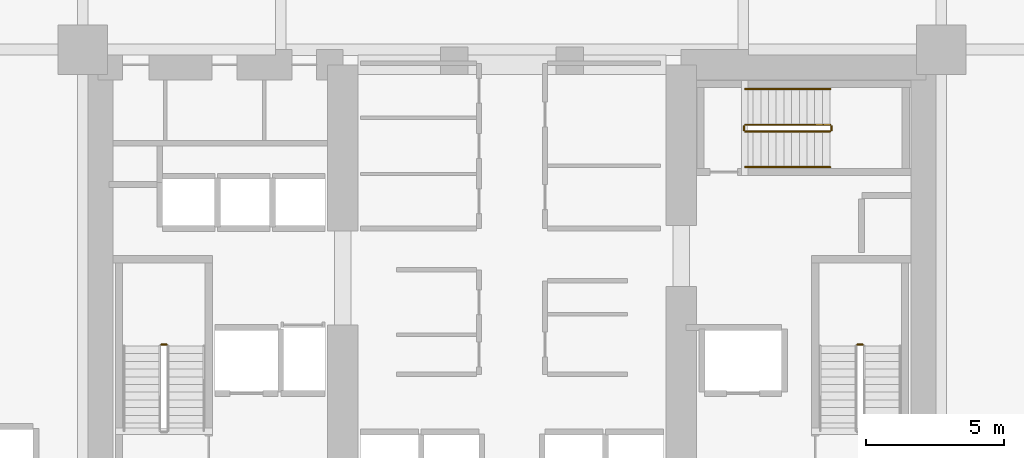
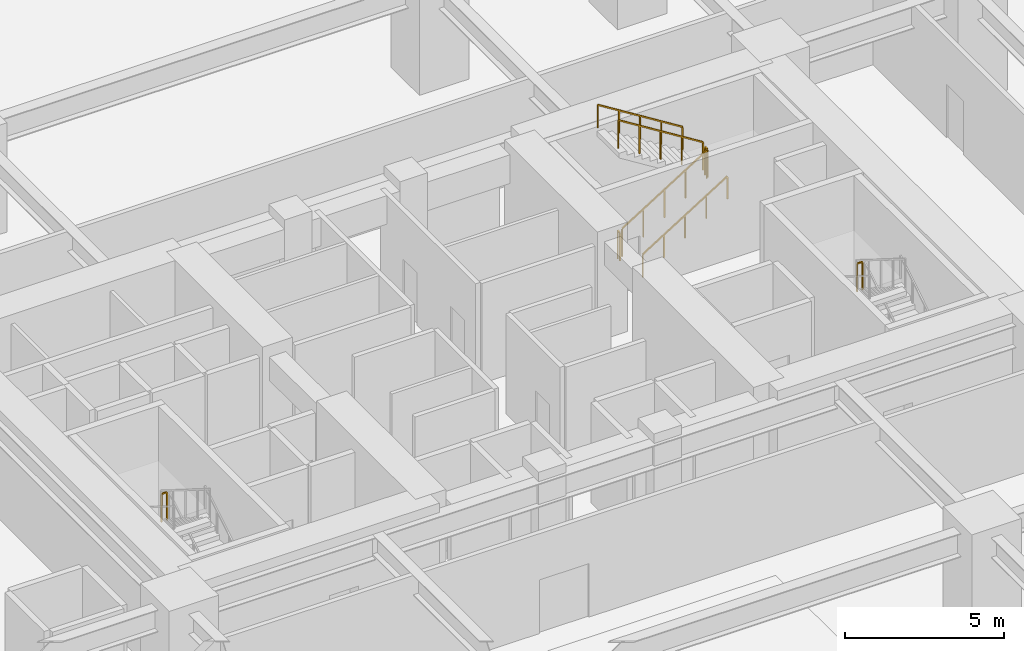
# One storey, part 19 of 22: 8 railings.
"""IFC4 building model written with IfcOpenShell, lengths in metres."""

from ifc_helpers import new_model, si_unit, direction, frame, origin, origin_2d, place, context, subcontext, project, spatial, rectangle, extrude, material, type_object, element, save


model = new_model("IFC4")

# Units and contexts
model_context = context("Model", 3, precision=1e-05, world=origin(), true_north=direction((0.0, 1.0)))
body_context = subcontext(model_context, "Body", "Model", "MODEL_VIEW")
ifc_project = project(units=[si_unit("LENGTHUNIT", "METRE"), si_unit("AREAUNIT", "SQUARE_METRE"), si_unit("VOLUMEUNIT", "CUBIC_METRE"), si_unit("PLANEANGLEUNIT", "RADIAN"), si_unit("MASSUNIT", "GRAM", prefix="KILO")], contexts=[model_context])

# Site, building, storey
site_placement = place(None, origin())
site = spatial("IfcSite", under=ifc_project, at=site_placement, CompositionType="ELEMENT")
building_placement = place(site_placement, origin())
building = spatial("IfcBuilding", under=site, at=building_placement, Name="Kiyonajd Concourse Tower", CompositionType="ELEMENT")
storey_placement = place(building_placement, frame((0.0, 0.0, 12.89990234375)))
storey = spatial("IfcBuildingStorey", under=building, at=storey_placement, Name="L04", CompositionType="ELEMENT", Elevation=12.89990234375)

# Railings
ifc_material_1 = material(Name="Steel ASTM A500 Grade C", Category="steel")
railing_type_1 = type_object("IfcRailingType", Name="RL-GRD-STR", PredefinedType="GUARDRAIL", material=ifc_material_1)
for number, where, name in (
    (1, (35.449951171875, 33.679931640625, 2.10009765625), "L04 ST1 stair guard 2"),
    (2, (60.75, 33.679931640625, 2.10009765625), "L04 ST2 stair guard 2"),
):
    element("IfcRailing", number, at=place(storey_placement, frame(where)), inside=storey, type_object=railing_type_1, Name=name, PredefinedType="GUARDRAIL", context=body_context, shape_type="SweptSolid", body=[
        extrude(rectangle(XDim=0.048095703125, YDim=0.048095703125, at=origin_2d()), frame((0.0, 0.0, 1.076171875), z_axis=(-1.0, 0.0, 0.0), x_axis=(0.0, -1.0, 0.0)), (0.0, 0.0, 1.0), 0.199951171875),
        extrude(rectangle(XDim=0.0419921875, YDim=0.0419921875, at=origin_2d()), origin(), (0.0, 0.0, 1.0), 1.052001953125),
        extrude(rectangle(XDim=0.0419921875, YDim=0.0419921875, at=origin_2d()), frame((-0.199951171875, 0.0, 0.0)), (0.0, 0.0, 1.0), 1.052001953125),
    ])
railing_1_placement = place(storey_placement, frame((56.47998046875, 41.429931640625, 0.175048828125)))
element("IfcRailing", 3, at=railing_1_placement, inside=storey, type_object=railing_type_1, Name="L04 ST3 stair guard 1", PredefinedType="GUARDRAIL", context=body_context, shape_type="SweptSolid", body=[
    extrude(rectangle(XDim=0.048095703125, YDim=0.048095703125, at=origin_2d()), frame((0.0, 0.0, 1.076171875), z_axis=(0.847998304005, 0.0, 0.529998940003), x_axis=(0.0, 1.0, 0.0)), (0.0, 0.0, 1.0), 3.632080078125),
    extrude(rectangle(XDim=0.0419921875, YDim=0.0419921875, at=origin_2d()), origin(), (0.0, 0.0, 1.0), 1.052001953125),
    extrude(rectangle(XDim=0.0419921875, YDim=0.0419921875, at=origin_2d()), frame((0.77001953125, 0.0, 0.481201171875)), (0.0, 0.0, 1.0), 1.052001953125),
    extrude(rectangle(XDim=0.0419921875, YDim=0.0419921875, at=origin_2d()), frame((1.5400390625, 0.0, 0.96240234375)), (0.0, 0.0, 1.0), 1.052001953125),
    extrude(rectangle(XDim=0.0419921875, YDim=0.0419921875, at=origin_2d()), frame((2.31005859375, 0.0, 1.44384765625)), (0.0, 0.0, 1.0), 1.052001953125),
    extrude(rectangle(XDim=0.0419921875, YDim=0.0419921875, at=origin_2d()), frame((3.080078125, 0.0, 1.925048828125)), (0.0, 0.0, 1.0), 1.052001953125),
])
railing_2_placement = place(storey_placement, frame((59.610107421875, 41.47998046875, 2.10009765625)))
element("IfcRailing", 4, at=railing_2_placement, inside=storey, type_object=railing_type_1, Name="L04 ST3 stair guard 2", PredefinedType="GUARDRAIL", context=body_context, shape_type="SweptSolid", body=[
    extrude(rectangle(XDim=0.048095703125, YDim=0.048095703125, at=origin_2d()), frame((0.0, 0.0, 1.076171875), z_axis=(0.0, 1.0, 0.0), x_axis=(-1.0, 0.0, 0.0)), (0.0, 0.0, 1.0), 0.14013671875),
    extrude(rectangle(XDim=0.0419921875, YDim=0.0419921875, at=origin_2d()), origin(), (0.0, 0.0, 1.0), 1.052001953125),
    extrude(rectangle(XDim=0.0419921875, YDim=0.0419921875, at=origin_2d()), frame((0.0, 0.14013671875, 0.0)), (0.0, 0.0, 1.0), 1.052001953125),
])
railing_3_placement = place(storey_placement, frame((59.56005859375, 41.669921875, 2.275146484375)))
element("IfcRailing", 5, at=railing_3_placement, inside=storey, type_object=railing_type_1, Name="L04 ST3 stair guard 3", PredefinedType="GUARDRAIL", context=body_context, shape_type="SweptSolid", body=[
    extrude(rectangle(XDim=0.048095703125, YDim=0.048095703125, at=origin_2d()), frame((0.0, 0.0, 1.076171875), z_axis=(-0.847998304005, 0.0, 0.529998940003), x_axis=(0.0, -1.0, 0.0)), (0.0, 0.0, 1.0), 3.632080078125),
    extrude(rectangle(XDim=0.0419921875, YDim=0.0419921875, at=origin_2d()), origin(), (0.0, 0.0, 1.0), 1.052001953125),
    extrude(rectangle(XDim=0.0419921875, YDim=0.0419921875, at=origin_2d()), frame((-0.77001953125, 0.0, 0.481201171875)), (0.0, 0.0, 1.0), 1.052001953125),
    extrude(rectangle(XDim=0.0419921875, YDim=0.0419921875, at=origin_2d()), frame((-1.5400390625, 0.0, 0.96240234375)), (0.0, 0.0, 1.0), 1.052001953125),
    extrude(rectangle(XDim=0.0419921875, YDim=0.0419921875, at=origin_2d()), frame((-2.31005859375, 0.0, 1.44384765625)), (0.0, 0.0, 1.0), 1.052001953125),
    extrude(rectangle(XDim=0.0419921875, YDim=0.0419921875, at=origin_2d()), frame((-3.080078125, 0.0, 1.925048828125)), (0.0, 0.0, 1.0), 1.052001953125),
])
railing_4_placement = place(storey_placement, frame((56.429931640625, 41.47998046875, 0.0)))
element("IfcRailing", 6, at=railing_4_placement, inside=storey, type_object=railing_type_1, Name="L04 ST3 stair guard 4", PredefinedType="GUARDRAIL", context=body_context, shape_type="SweptSolid", body=[
    extrude(rectangle(XDim=0.048095703125, YDim=0.048095703125, at=origin_2d()), frame((0.0, 0.0, 1.076171875), z_axis=(0.0, 1.0, 0.0), x_axis=(-1.0, 0.0, 0.0)), (0.0, 0.0, 1.0), 0.14013671875),
    extrude(rectangle(XDim=0.0419921875, YDim=0.0419921875, at=origin_2d()), origin(), (0.0, 0.0, 1.0), 1.052001953125),
    extrude(rectangle(XDim=0.0419921875, YDim=0.0419921875, at=origin_2d()), frame((0.0, 0.14013671875, 0.0)), (0.0, 0.0, 1.0), 1.052001953125),
])
ifc_material_2 = material(Name="Brushed Stainless Steel Cab Assembly", Category="steel")
railing_type_2 = type_object("IfcRailingType", Name="RL-HND-900", PredefinedType="HANDRAIL", material=ifc_material_2)
railing_5_placement = place(storey_placement, frame((56.47998046875, 40.1298828125, 0.175048828125)))
element("IfcRailing", 7, at=railing_5_placement, inside=storey, type_object=railing_type_2, Name="L04 ST3 stair handrail 1", PredefinedType="HANDRAIL", context=body_context, shape_type="SweptSolid", body=[
    extrude(rectangle(XDim=0.048095703125, YDim=0.048095703125, at=origin_2d()), frame((0.0, 0.0, 0.8759765625), z_axis=(0.847998304005, 0.0, 0.529998940003), x_axis=(0.0, 1.0, 0.0)), (0.0, 0.0, 1.0), 3.632080078125),
    extrude(rectangle(XDim=0.0419921875, YDim=0.0419921875, at=origin_2d()), origin(), (0.0, 0.0, 1.0), 0.851806640625),
    extrude(rectangle(XDim=0.0419921875, YDim=0.0419921875, at=origin_2d()), frame((0.77001953125, 0.0, 0.481201171875)), (0.0, 0.0, 1.0), 0.851806640625),
    extrude(rectangle(XDim=0.0419921875, YDim=0.0419921875, at=origin_2d()), frame((1.5400390625, 0.0, 0.96240234375)), (0.0, 0.0, 1.0), 0.851806640625),
    extrude(rectangle(XDim=0.0419921875, YDim=0.0419921875, at=origin_2d()), frame((2.31005859375, 0.0, 1.44384765625)), (0.0, 0.0, 1.0), 0.851806640625),
    extrude(rectangle(XDim=0.0419921875, YDim=0.0419921875, at=origin_2d()), frame((3.080078125, 0.0, 1.925048828125)), (0.0, 0.0, 1.0), 0.851806640625),
])
railing_6_placement = place(storey_placement, frame((59.56005859375, 42.969970703125, 2.275146484375)))
element("IfcRailing", 8, at=railing_6_placement, inside=storey, type_object=railing_type_2, Name="L04 ST3 stair handrail 2", PredefinedType="HANDRAIL", context=body_context, shape_type="SweptSolid", body=[
    extrude(rectangle(XDim=0.048095703125, YDim=0.048095703125, at=origin_2d()), frame((0.0, 0.0, 0.8759765625), z_axis=(-0.847998304005, 0.0, 0.529998940003), x_axis=(0.0, -1.0, 0.0)), (0.0, 0.0, 1.0), 3.632080078125),
    extrude(rectangle(XDim=0.0419921875, YDim=0.0419921875, at=origin_2d()), origin(), (0.0, 0.0, 1.0), 0.851806640625),
    extrude(rectangle(XDim=0.0419921875, YDim=0.0419921875, at=origin_2d()), frame((-0.77001953125, 0.0, 0.481201171875)), (0.0, 0.0, 1.0), 0.851806640625),
    extrude(rectangle(XDim=0.0419921875, YDim=0.0419921875, at=origin_2d()), frame((-1.5400390625, 0.0, 0.96240234375)), (0.0, 0.0, 1.0), 0.851806640625),
    extrude(rectangle(XDim=0.0419921875, YDim=0.0419921875, at=origin_2d()), frame((-2.31005859375, 0.0, 1.44384765625)), (0.0, 0.0, 1.0), 0.851806640625),
    extrude(rectangle(XDim=0.0419921875, YDim=0.0419921875, at=origin_2d()), frame((-3.080078125, 0.0, 1.925048828125)), (0.0, 0.0, 1.0), 0.851806640625),
])

save(model, "model.ifc")
